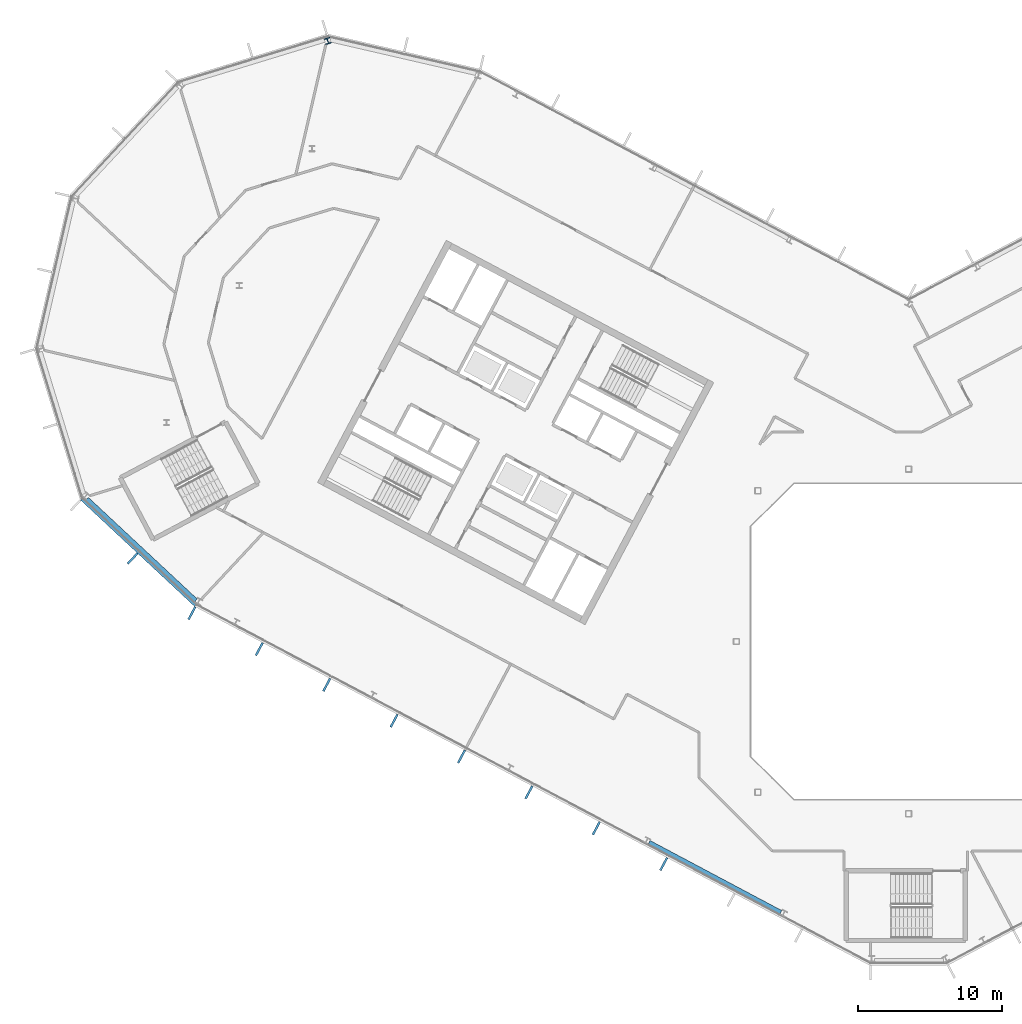
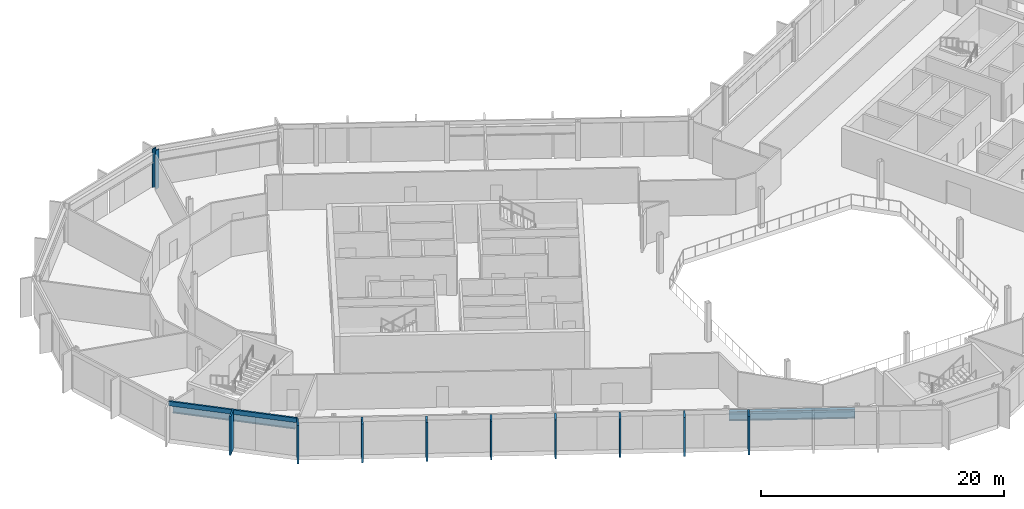
# One storey, part 8 of 30: 10 members, 2 beams, 1 column, 2 elements without a shape of their own.
"""IFC4 building model written with IfcOpenShell, lengths in metres."""

import ifcopenshell
import ifcopenshell.guid

model = None  # the IFC model being written
_history = None  # IfcOwnerHistory: only IFC2X3 demands one
_inside = {}  # id of a spatial element -> (the spatial element, [elements in it])
_under = {}  # id of a project, library or spatial element -> (it, [spatial elements below it])
_declared = {}  # id of a project -> (the project, [libraries it declares])
_typed = {}  # id of a type object -> (the type object, [elements of that type])
_made_of = {}  # id of a material, layer set ... -> (it, [elements and type objects made of it])


def new_model(schema):
    """Start an empty IFC model of exactly this schema.

    Asked for "IFC4X3", IfcOpenShell would pick the latest addendum, in which some entities
    have other attributes; the version numbers below select the first issue.
    IFC2X3 requires an IfcOwnerHistory on every rooted entity: one is made here for all.
    """
    global model, _history
    if schema == "IFC4X3":
        model = ifcopenshell.file(schema_version=(4, 3, 0, 0))
    else:
        model = ifcopenshell.file(schema=schema)
    _inside.clear()
    _under.clear()
    _declared.clear()
    _typed.clear()
    _made_of.clear()
    _history = None
    if model.schema == "IFC2X3":
        org = make("IfcOrganization", Name="unknown")
        user = make(
            "IfcPersonAndOrganization",
            ThePerson=make("IfcPerson", FamilyName="unknown"),
            TheOrganization=org,
        )
        app = make(
            "IfcApplication",
            ApplicationDeveloper=org,
            Version="unknown",
            ApplicationFullName="unknown",
            ApplicationIdentifier="unknown",
        )
        _history = make(
            "IfcOwnerHistory",
            OwningUser=user,
            OwningApplication=app,
            ChangeAction="ADDED",
            CreationDate=0,
        )
    return model


def make(cls, **values):
    """One entity of the class cls with the attributes given. An attribute that is None is left unset."""
    return model.create_entity(
        cls, **{name: value for name, value in values.items() if value is not None}
    )


def rooted(cls, **values):
    """An entity with a GlobalId (a new one), such as an element, a storey or a relation."""
    return make(cls, GlobalId=ifcopenshell.guid.new(), OwnerHistory=_history, **values)


def si_unit(unit_type, name, prefix=None):
    """IfcSIUnit, for example si_unit("LENGTHUNIT", "METRE", prefix="MILLI")."""
    return make("IfcSIUnit", UnitType=unit_type, Prefix=prefix, Name=name)


def assignment(units):
    """IfcUnitAssignment: the units of a project."""
    return None if units is None else make("IfcUnitAssignment", Units=units)


def point(xyz):
    """IfcCartesianPoint."""
    return None if xyz is None else make("IfcCartesianPoint", Coordinates=xyz)


def direction(xyz):
    """IfcDirection."""
    return None if xyz is None else make("IfcDirection", DirectionRatios=xyz)


def frame(location, z_axis=None, x_axis=None):
    """IfcAxis2Placement3D, a coordinate frame: its origin and axes. An axis left out is left unset."""
    return make(
        "IfcAxis2Placement3D",
        Location=point(location),
        Axis=direction(z_axis),
        RefDirection=direction(x_axis),
    )


def frame_2d(location, x_axis=None):
    """IfcAxis2Placement2D, a coordinate frame in the plane: its origin and x axis."""
    return make(
        "IfcAxis2Placement2D", Location=point(location), RefDirection=direction(x_axis)
    )


def origin():
    """The frame at (0, 0, 0) with its axes left unset."""
    return frame((0.0, 0.0, 0.0))


def origin_2d():
    """The frame at (0, 0) in the plane with its x axis left unset."""
    return frame_2d((0.0, 0.0))


def place(relative_to, where):
    """IfcLocalPlacement: puts the frame where relative to a parent placement (None: the world)."""
    return make(
        "IfcLocalPlacement", PlacementRelTo=relative_to, RelativePlacement=where
    )


def context(
    kind, dimensions, precision=None, world=None, true_north=None, identifier=None
):
    """IfcGeometricRepresentationContext, for example the 3D "Model" context."""
    return make(
        "IfcGeometricRepresentationContext",
        ContextIdentifier=identifier,
        ContextType=kind,
        CoordinateSpaceDimension=dimensions,
        Precision=precision,
        WorldCoordinateSystem=world,
        TrueNorth=true_north,
    )


def subcontext(parent, identifier, kind, view, scale=None):
    """IfcGeometricRepresentationSubContext, for example "Body" below "Model"."""
    return make(
        "IfcGeometricRepresentationSubContext",
        ContextIdentifier=identifier,
        ContextType=kind,
        ParentContext=parent,
        TargetScale=scale,
        TargetView=view,
    )


def project(units=None, contexts=None):
    """IfcProject with its units and contexts."""
    return rooted(
        "IfcProject",
        Name="project",
        RepresentationContexts=contexts,
        UnitsInContext=assignment(units),
    )


def spatial(cls, under=None, at=None, **own):
    """A site, building, storey or space (cls), placed at a placement, below another one or the project."""
    s = rooted(cls, ObjectPlacement=at, **own)
    if under is not None:
        _under.setdefault(under.id(), (under, []))[1].append(s)
    return s


def profile(cls, at=None, kind="AREA", **sizes):
    """A parametric profile (cls). Its sizes go by their IFC names, for example OverallWidth=200.0."""
    return make(cls, ProfileType=kind, Position=at, **sizes)


def rectangle(**sizes):
    """IfcRectangleProfileDef."""
    return profile("IfcRectangleProfileDef", **sizes)


def i_section(**sizes):
    """IfcIShapeProfileDef."""
    return profile("IfcIShapeProfileDef", **sizes)


def extrude(swept, where, along, depth):
    """IfcExtrudedAreaSolid: the profile swept, set in the frame where, extruded along a direction by depth."""
    return make(
        "IfcExtrudedAreaSolid",
        SweptArea=swept,
        Position=where,
        ExtrudedDirection=direction(along),
        Depth=depth,
    )


def shape(context_of_items, identifier, shape_type, items):
    """IfcShapeRepresentation: the items that make up one representation, for example the "Body"."""
    return make(
        "IfcShapeRepresentation",
        ContextOfItems=context_of_items,
        RepresentationIdentifier=identifier,
        RepresentationType=shape_type,
        Items=items,
    )


def material(Name=None, Category=None):
    """IfcMaterial."""
    return make("IfcMaterial", Name=Name, Category=Category)


def layer(
    of_material, thickness, ventilated=None, Name=None, Category=None, Priority=None
):
    """IfcMaterialLayer: one layer of a wall or slab, of a material (None: an air gap)."""
    return make(
        "IfcMaterialLayer",
        Material=of_material,
        LayerThickness=thickness,
        IsVentilated=ventilated,
        Name=Name,
        Category=Category,
        Priority=Priority,
    )


def layer_set(layers, Name=None):
    """IfcMaterialLayerSet."""
    return make("IfcMaterialLayerSet", MaterialLayers=layers, LayerSetName=Name)


def material_profile(
    of_material, cross_section, Name=None, Category=None, Priority=None
):
    """IfcMaterialProfile: a cross section and its material."""
    return make(
        "IfcMaterialProfile",
        Name=Name,
        Material=of_material,
        Profile=cross_section,
        Priority=Priority,
        Category=Category,
    )


def profile_set(profiles, Name=None, composite=None):
    """IfcMaterialProfileSet."""
    return make(
        "IfcMaterialProfileSet",
        Name=Name,
        MaterialProfiles=profiles,
        CompositeProfile=composite,
    )


def made_of(thing, what):
    """Note that an element or type object is made of a material, layer set ...; save() writes the relation."""
    if what is not None:
        _made_of.setdefault(what.id(), (what, []))[1].append(thing)
    return thing


def type_object(cls, material=None, **own):
    """A type object (cls), such as IfcWallType, which elements share."""
    return made_of(rooted(cls, **own), material)


def element(
    cls,
    number,
    at=None,
    inside=None,
    cuts=None,
    type_object=None,
    material=None,
    context=None,
    identifier="Body",
    shape_type=None,
    held_by="IfcProductDefinitionShape",
    body=None,
    shapes=None,
    **own,
):
    """One element of the class cls, such as IfcWall. Its Tag is "e" and its number.

    at: its placement. inside: the storey or other place that contains it. cuts: it is an
    opening in that element (IfcRelVoidsElement). A single representation is given by context,
    identifier, shape_type and body (its items); several are given by shapes. held_by: the class
    of the entity that holds the representations. save() writes the other relations.
    """
    e = rooted(cls, Tag="e%d" % number, ObjectPlacement=at, **own)
    if body is not None:
        shapes = [shape(context, identifier, shape_type, body)]
    if shapes is not None:
        e.Representation = make(held_by, Representations=shapes)
    if inside is not None:
        _inside.setdefault(inside.id(), (inside, []))[1].append(e)
    if cuts is not None:
        rooted(
            "IfcRelVoidsElement", RelatingBuildingElement=cuts, RelatedOpeningElement=e
        )
    if type_object is not None:
        _typed.setdefault(type_object.id(), (type_object, []))[1].append(e)
    return made_of(e, material)


def aggregate(whole, parts):
    """IfcRelAggregates: a whole, such as a stair, and the parts it consists of."""
    return rooted("IfcRelAggregates", RelatingObject=whole, RelatedObjects=parts)


def save(model, path):
    """Write the relations noted so far, then the file.

    IfcRelAggregates (storeys below a building ...), IfcRelContainedInSpatialStructure (elements
    in a storey), IfcRelDefinesByType, IfcRelAssociatesMaterial and IfcRelDeclares: one each for
    every whole, place, type object, material and project.
    """
    for whole, parts in _under.values():
        aggregate(whole, parts)
    for where, things in _inside.values():
        rooted(
            "IfcRelContainedInSpatialStructure",
            RelatedElements=things,
            RelatingStructure=where,
        )
    for kind, things in _typed.values():
        rooted("IfcRelDefinesByType", RelatedObjects=things, RelatingType=kind)
    for what, things in _made_of.values():
        rooted("IfcRelAssociatesMaterial", RelatedObjects=things, RelatingMaterial=what)
    for by, libraries in _declared.values():
        rooted("IfcRelDeclares", RelatingContext=by, RelatedDefinitions=libraries)
    model.write(path)


model = new_model("IFC4")

# Units and contexts
model_context = context("Model", 3, precision=1e-05, world=origin(), true_north=direction((0.0, 1.0)))
body_context = subcontext(model_context, "Body", "Model", "MODEL_VIEW")
ifc_project = project(units=[si_unit("LENGTHUNIT", "METRE"), si_unit("AREAUNIT", "SQUARE_METRE"), si_unit("VOLUMEUNIT", "CUBIC_METRE"), si_unit("PLANEANGLEUNIT", "RADIAN"), si_unit("MASSUNIT", "GRAM", prefix="KILO")], contexts=[model_context])

# Site, building, storey
site_placement = place(None, origin())
site = spatial("IfcSite", under=ifc_project, at=site_placement, CompositionType="ELEMENT")
building_placement = place(site_placement, origin())
building = spatial("IfcBuilding", under=site, at=building_placement, Name="Cormorant Relay Tower", CompositionType="ELEMENT")
storey_placement = place(building_placement, frame((0.0, 0.0, 258.0)))
storey = spatial("IfcBuildingStorey", under=building, at=storey_placement, Name="L57", CompositionType="ELEMENT", Elevation=258.0)

# Column
ifc_material_1 = material(Name="Steel ASTM A992 (Fy 345 MPa)", Category="steel")
ifc_material_profile_1 = material_profile(ifc_material_1, i_section(OverallWidth=0.40380859375, OverallDepth=0.406494140625, WebThickness=0.027099609375, FlangeThickness=0.043701171875, FilletRadius=0.01513671875, at=origin_2d()), Name="W360x347")
ifc_profile_set_1 = profile_set([ifc_material_profile_1], Name="Steel ASTM A992 (Fy 345 MPa)")
column_type = type_object("IfcColumnType", Name="Column W360x347", PredefinedType="COLUMN", material=ifc_profile_set_1)
column_placement = place(storey_placement, frame((-40.455078125, 41.823974609375, 0.0), z_axis=(0.0, 0.0, 1.0), x_axis=(-0.956304755963, -0.292371704723, 0.0)))
element("IfcColumn", 1, at=column_placement, inside=storey, type_object=column_type, Name="Column L57-043", PredefinedType="COLUMN", context=body_context, shape_type="SweptSolid", body=[
    extrude(i_section(OverallWidth=0.40380859375, OverallDepth=0.406494140625, WebThickness=0.027099609375, FlangeThickness=0.043701171875, FilletRadius=0.01513671875, at=origin_2d()), origin(), (0.0, 0.0, 1.0), 3.89990234375),
])

# Curtain wall, member
ifc_material_2 = material(Name="Aluminium 6063-T6 anodised bronze", Category="aluminium")
ifc_layer = layer(ifc_material_2, 0.199951171875)
ifc_layer_set = layer_set([ifc_layer], Name="CW1 unitised bronze curtain wall with vertical fins")
curtain_wall_type = type_object("IfcCurtainWallType", Name="CW1 unitised bronze curtain wall with vertical fins", PredefinedType="NOTDEFINED", material=ifc_layer_set)
curtain_wall_1_placement = place(storey_placement, origin())
curtain_wall_1 = element("IfcCurtainWall", 2, at=curtain_wall_1_placement, inside=storey, type_object=curtain_wall_type, Name="CW1 curtain wall 15", PredefinedType="NOTDEFINED")
ifc_material_3 = material(Name="Aluminium 6063-T6 anodised bronze", Category="aluminium")
ifc_material_profile_2 = material_profile(ifc_material_3, rectangle(XDim=0.14990234375, YDim=1.0, at=origin_2d()), Name="AL 150x1000")
ifc_profile_set_2 = profile_set([ifc_material_profile_2], Name="Aluminium 6063-T6 anodised bronze")
member_type_1 = type_object("IfcMemberType", Name="CW1 bronze fin mullion 150 x 1000", PredefinedType="MULLION", material=ifc_profile_set_2)
member_1_placement = place(storey_placement, frame((-54.0439453125, 5.779296875, 0.0), z_axis=(0.0, 0.0, 1.0), x_axis=(0.731353701619, -0.681998360062, 0.0)))
member_1 = element("IfcMember", 3, at=member_1_placement, type_object=member_type_1, Name="CW1 fin 15.2", PredefinedType="MULLION", context=body_context, shape_type="SweptSolid", body=[
    extrude(rectangle(XDim=0.14990234375, YDim=1.0, at=origin_2d()), origin(), (0.0, 0.0, 1.0), 3.89990234375),
])

# Curtain wall, members
curtain_wall_2_placement = place(storey_placement, origin())
curtain_wall_2 = element("IfcCurtainWall", 4, at=curtain_wall_2_placement, inside=storey, type_object=curtain_wall_type, Name="CW1 curtain wall 16", PredefinedType="NOTDEFINED")
member_2_placement = place(storey_placement, frame((-49.920166015625, 1.96630859375, 0.0), z_axis=(0.0, 0.0, 1.0), x_axis=(0.882947592859, -0.469471562786, 0.0)))
member_2 = element("IfcMember", 5, at=member_2_placement, type_object=member_type_1, Name="CW1 fin 16.1", PredefinedType="MULLION", context=body_context, shape_type="SweptSolid", body=[
    extrude(rectangle(XDim=0.14990234375, YDim=1.0, at=origin_2d()), origin(), (0.0, 0.0, 1.0), 3.89990234375),
])
member_3_placement = place(storey_placement, frame((-45.225830078125, -0.52978515625, 0.0), z_axis=(0.0, 0.0, 1.0), x_axis=(0.882947592859, -0.469471562786, 0.0)))
member_3 = element("IfcMember", 6, at=member_3_placement, type_object=member_type_1, Name="CW1 fin 16.2", PredefinedType="MULLION", context=body_context, shape_type="SweptSolid", body=[
    extrude(rectangle(XDim=0.14990234375, YDim=1.0, at=origin_2d()), origin(), (0.0, 0.0, 1.0), 3.89990234375),
])
member_4_placement = place(storey_placement, frame((-40.531494140625, -3.025634765625, 0.0), z_axis=(0.0, 0.0, 1.0), x_axis=(0.882947592859, -0.469471562786, 0.0)))
member_4 = element("IfcMember", 7, at=member_4_placement, type_object=member_type_1, Name="CW1 fin 16.3", PredefinedType="MULLION", context=body_context, shape_type="SweptSolid", body=[
    extrude(rectangle(XDim=0.14990234375, YDim=1.0, at=origin_2d()), origin(), (0.0, 0.0, 1.0), 3.89990234375),
])
member_5_placement = place(storey_placement, frame((-35.83740234375, -5.521728515625, 0.0), z_axis=(0.0, 0.0, 1.0), x_axis=(0.882947592859, -0.469471562786, 0.0)))
member_5 = element("IfcMember", 8, at=member_5_placement, type_object=member_type_1, Name="CW1 fin 16.4", PredefinedType="MULLION", context=body_context, shape_type="SweptSolid", body=[
    extrude(rectangle(XDim=0.14990234375, YDim=1.0, at=origin_2d()), origin(), (0.0, 0.0, 1.0), 3.89990234375),
])
member_6_placement = place(storey_placement, frame((-31.14306640625, -8.017578125, 0.0), z_axis=(0.0, 0.0, 1.0), x_axis=(0.882947592859, -0.469471562786, 0.0)))
member_6 = element("IfcMember", 9, at=member_6_placement, type_object=member_type_1, Name="CW1 fin 16.5", PredefinedType="MULLION", context=body_context, shape_type="SweptSolid", body=[
    extrude(rectangle(XDim=0.14990234375, YDim=1.0, at=origin_2d()), origin(), (0.0, 0.0, 1.0), 3.89990234375),
])
member_7_placement = place(storey_placement, frame((-26.44873046875, -10.513671875, 0.0), z_axis=(0.0, 0.0, 1.0), x_axis=(0.882947592859, -0.469471562786, 0.0)))
member_7 = element("IfcMember", 10, at=member_7_placement, type_object=member_type_1, Name="CW1 fin 16.6", PredefinedType="MULLION", context=body_context, shape_type="SweptSolid", body=[
    extrude(rectangle(XDim=0.14990234375, YDim=1.0, at=origin_2d()), origin(), (0.0, 0.0, 1.0), 3.89990234375),
])
member_8_placement = place(storey_placement, frame((-21.754638671875, -13.009765625, 0.0), z_axis=(0.0, 0.0, 1.0), x_axis=(0.882947592859, -0.469471562786, 0.0)))
member_8 = element("IfcMember", 11, at=member_8_placement, type_object=member_type_1, Name="CW1 fin 16.7", PredefinedType="MULLION", context=body_context, shape_type="SweptSolid", body=[
    extrude(rectangle(XDim=0.14990234375, YDim=1.0, at=origin_2d()), origin(), (0.0, 0.0, 1.0), 3.89990234375),
])
member_9_placement = place(storey_placement, frame((-17.060302734375, -15.505615234375, 0.0), z_axis=(0.0, 0.0, 1.0), x_axis=(0.882947592859, -0.469471562786, 0.0)))
member_9 = element("IfcMember", 12, at=member_9_placement, type_object=member_type_1, Name="CW1 fin 16.8", PredefinedType="MULLION", context=body_context, shape_type="SweptSolid", body=[
    extrude(rectangle(XDim=0.14990234375, YDim=1.0, at=origin_2d()), origin(), (0.0, 0.0, 1.0), 3.89990234375),
])
aggregate(curtain_wall_2, [member_2, member_3, member_4, member_5, member_6, member_7, member_8, member_9])

# Member
ifc_material_4 = material(Name="Aluminium 6063-T6 anodised bronze", Category="aluminium")
ifc_material_profile_3 = material_profile(ifc_material_4, rectangle(XDim=0.159912109375, YDim=0.449951171875, at=origin_2d()), Name="AL 160x450")
ifc_profile_set_3 = profile_set([ifc_material_profile_3], Name="Aluminium 6063-T6 anodised bronze")
member_type_2 = type_object("IfcMemberType", Name="CW1 bronze transom 160 x 450", PredefinedType="USERDEFINED", material=ifc_profile_set_3)
member_10_placement = place(storey_placement, frame((-57.62353515625, 9.91015625, 3.675048828125), z_axis=(0.731358420696, -0.681993299437, 0.0), x_axis=(0.681993299437, 0.731358420696, 0.0)))
member_10 = element("IfcMember", 13, at=member_10_placement, type_object=member_type_2, Name="CW1 transom 15", ObjectType="TRANSOM", PredefinedType="USERDEFINED", context=body_context, shape_type="SweptSolid", body=[
    extrude(rectangle(XDim=0.159912109375, YDim=0.449951171875, at=origin_2d()), origin(), (0.0, 0.0, 1.0), 10.870361328125),
])

aggregate(curtain_wall_1, [member_1, member_10])

# Beams
ifc_material_5 = material(Name="Steel ASTM A992 (Fy 345 MPa)", Category="steel")
ifc_material_profile_4 = material_profile(ifc_material_5, i_section(OverallWidth=0.307373046875, OverallDepth=0.927001953125, WebThickness=0.019287109375, FlangeThickness=0.031982421875, FilletRadius=0.01904296875, at=origin_2d()), Name="W920x289")
ifc_profile_set_4 = profile_set([ifc_material_profile_4], Name="Steel ASTM A992 (Fy 345 MPa)")
beam_type = type_object("IfcBeamType", Name="Spandrel W920x289", PredefinedType="SPANDREL", material=ifc_profile_set_4)
beam_1_placement = place(storey_placement, frame((-57.234619140625, 9.921630859375, 3.076416015625), z_axis=(0.731364191518, -0.681987110849, 0.0), x_axis=(0.681987110849, 0.731364191518, 0.0)))
element("IfcBeam", 14, at=beam_1_placement, inside=storey, type_object=beam_type, Name="Spandrel beam L57-015", PredefinedType="SPANDREL", context=body_context, shape_type="SweptSolid", body=[
    extrude(i_section(OverallWidth=0.307373046875, OverallDepth=0.927001953125, WebThickness=0.019287109375, FlangeThickness=0.031982421875, FilletRadius=0.01904296875, at=origin_2d()), origin(), (0.0, 0.0, 1.0), 10.37841796875),
])
beam_2_placement = place(storey_placement, frame((-18.0869140625, -13.992919921875, 3.076416015625), z_axis=(0.882946088703, -0.469474391681, 0.0), x_axis=(0.469474391681, 0.882946088703, 0.0)))
element("IfcBeam", 15, at=beam_2_placement, inside=storey, type_object=beam_type, Name="Spandrel beam L57-016", PredefinedType="SPANDREL", context=body_context, shape_type="SweptSolid", body=[
    extrude(i_section(OverallWidth=0.307373046875, OverallDepth=0.927001953125, WebThickness=0.019287109375, FlangeThickness=0.031982421875, FilletRadius=0.01904296875, at=origin_2d()), origin(), (0.0, 0.0, 1.0), 10.401611328125),
])

save(model, "model.ifc")
